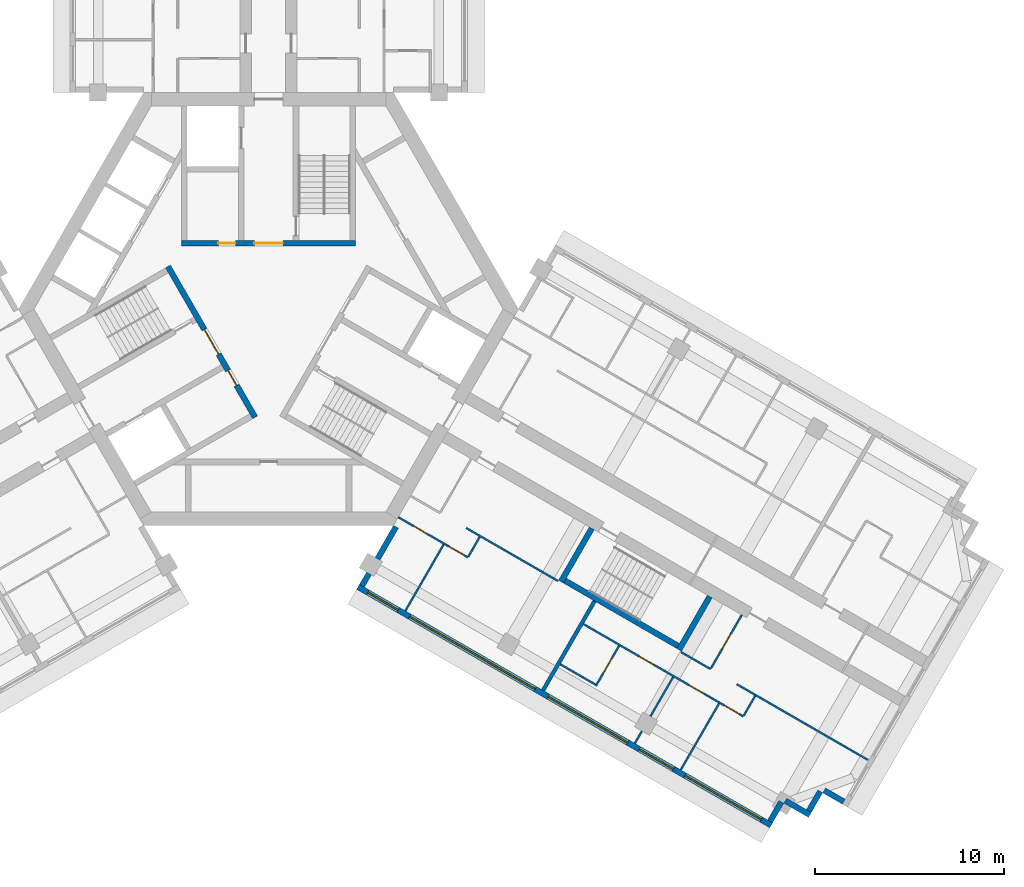
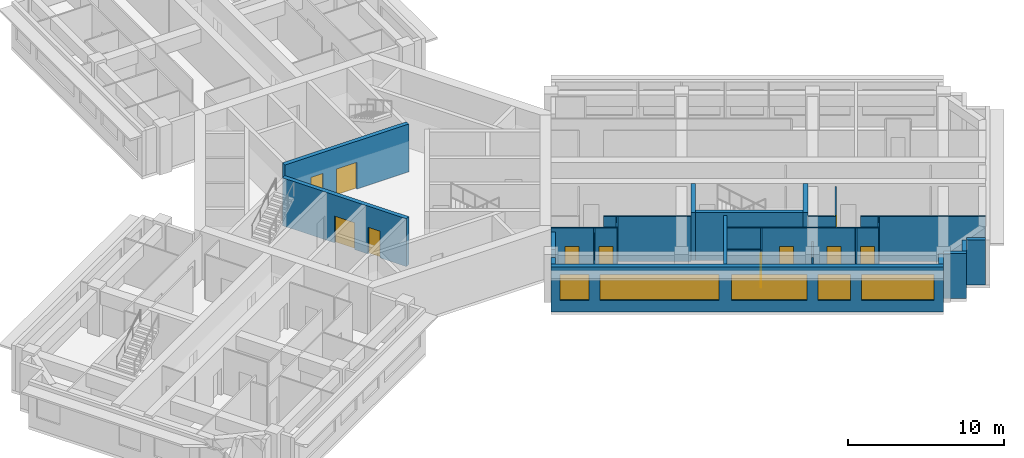
# One storey, part 4 of 10: 27 walls, 11 doors, 5 windows, 16 openings.
"""IFC4 building model written with IfcOpenShell, lengths in metres."""

import ifcopenshell
import ifcopenshell.guid

model = None  # the IFC model being written
_history = None  # IfcOwnerHistory: only IFC2X3 demands one
_inside = {}  # id of a spatial element -> (the spatial element, [elements in it])
_under = {}  # id of a project, library or spatial element -> (it, [spatial elements below it])
_declared = {}  # id of a project -> (the project, [libraries it declares])
_typed = {}  # id of a type object -> (the type object, [elements of that type])
_made_of = {}  # id of a material, layer set ... -> (it, [elements and type objects made of it])


def new_model(schema):
    """Start an empty IFC model of exactly this schema.

    Asked for "IFC4X3", IfcOpenShell would pick the latest addendum, in which some entities
    have other attributes; the version numbers below select the first issue.
    IFC2X3 requires an IfcOwnerHistory on every rooted entity: one is made here for all.
    """
    global model, _history
    if schema == "IFC4X3":
        model = ifcopenshell.file(schema_version=(4, 3, 0, 0))
    else:
        model = ifcopenshell.file(schema=schema)
    _inside.clear()
    _under.clear()
    _declared.clear()
    _typed.clear()
    _made_of.clear()
    _history = None
    if model.schema == "IFC2X3":
        org = make("IfcOrganization", Name="unknown")
        user = make(
            "IfcPersonAndOrganization",
            ThePerson=make("IfcPerson", FamilyName="unknown"),
            TheOrganization=org,
        )
        app = make(
            "IfcApplication",
            ApplicationDeveloper=org,
            Version="unknown",
            ApplicationFullName="unknown",
            ApplicationIdentifier="unknown",
        )
        _history = make(
            "IfcOwnerHistory",
            OwningUser=user,
            OwningApplication=app,
            ChangeAction="ADDED",
            CreationDate=0,
        )
    return model


def make(cls, **values):
    """One entity of the class cls with the attributes given. An attribute that is None is left unset."""
    return model.create_entity(
        cls, **{name: value for name, value in values.items() if value is not None}
    )


def rooted(cls, **values):
    """An entity with a GlobalId (a new one), such as an element, a storey or a relation."""
    return make(cls, GlobalId=ifcopenshell.guid.new(), OwnerHistory=_history, **values)


def si_unit(unit_type, name, prefix=None):
    """IfcSIUnit, for example si_unit("LENGTHUNIT", "METRE", prefix="MILLI")."""
    return make("IfcSIUnit", UnitType=unit_type, Prefix=prefix, Name=name)


def assignment(units):
    """IfcUnitAssignment: the units of a project."""
    return None if units is None else make("IfcUnitAssignment", Units=units)


def point(xyz):
    """IfcCartesianPoint."""
    return None if xyz is None else make("IfcCartesianPoint", Coordinates=xyz)


def direction(xyz):
    """IfcDirection."""
    return None if xyz is None else make("IfcDirection", DirectionRatios=xyz)


def frame(location, z_axis=None, x_axis=None):
    """IfcAxis2Placement3D, a coordinate frame: its origin and axes. An axis left out is left unset."""
    return make(
        "IfcAxis2Placement3D",
        Location=point(location),
        Axis=direction(z_axis),
        RefDirection=direction(x_axis),
    )


def frame_2d(location, x_axis=None):
    """IfcAxis2Placement2D, a coordinate frame in the plane: its origin and x axis."""
    return make(
        "IfcAxis2Placement2D", Location=point(location), RefDirection=direction(x_axis)
    )


def origin():
    """The frame at (0, 0, 0) with its axes left unset."""
    return frame((0.0, 0.0, 0.0))


def place(relative_to, where):
    """IfcLocalPlacement: puts the frame where relative to a parent placement (None: the world)."""
    return make(
        "IfcLocalPlacement", PlacementRelTo=relative_to, RelativePlacement=where
    )


def context(
    kind, dimensions, precision=None, world=None, true_north=None, identifier=None
):
    """IfcGeometricRepresentationContext, for example the 3D "Model" context."""
    return make(
        "IfcGeometricRepresentationContext",
        ContextIdentifier=identifier,
        ContextType=kind,
        CoordinateSpaceDimension=dimensions,
        Precision=precision,
        WorldCoordinateSystem=world,
        TrueNorth=true_north,
    )


def subcontext(parent, identifier, kind, view, scale=None):
    """IfcGeometricRepresentationSubContext, for example "Body" below "Model"."""
    return make(
        "IfcGeometricRepresentationSubContext",
        ContextIdentifier=identifier,
        ContextType=kind,
        ParentContext=parent,
        TargetScale=scale,
        TargetView=view,
    )


def project(units=None, contexts=None):
    """IfcProject with its units and contexts."""
    return rooted(
        "IfcProject",
        Name="project",
        RepresentationContexts=contexts,
        UnitsInContext=assignment(units),
    )


def spatial(cls, under=None, at=None, **own):
    """A site, building, storey or space (cls), placed at a placement, below another one or the project."""
    s = rooted(cls, ObjectPlacement=at, **own)
    if under is not None:
        _under.setdefault(under.id(), (under, []))[1].append(s)
    return s


def profile(cls, at=None, kind="AREA", **sizes):
    """A parametric profile (cls). Its sizes go by their IFC names, for example OverallWidth=200.0."""
    return make(cls, ProfileType=kind, Position=at, **sizes)


def rectangle(**sizes):
    """IfcRectangleProfileDef."""
    return profile("IfcRectangleProfileDef", **sizes)


def extrude(swept, where, along, depth):
    """IfcExtrudedAreaSolid: the profile swept, set in the frame where, extruded along a direction by depth."""
    return make(
        "IfcExtrudedAreaSolid",
        SweptArea=swept,
        Position=where,
        ExtrudedDirection=direction(along),
        Depth=depth,
    )


def shape(context_of_items, identifier, shape_type, items):
    """IfcShapeRepresentation: the items that make up one representation, for example the "Body"."""
    return make(
        "IfcShapeRepresentation",
        ContextOfItems=context_of_items,
        RepresentationIdentifier=identifier,
        RepresentationType=shape_type,
        Items=items,
    )


def material(Name=None, Category=None):
    """IfcMaterial."""
    return make("IfcMaterial", Name=Name, Category=Category)


def layer(
    of_material, thickness, ventilated=None, Name=None, Category=None, Priority=None
):
    """IfcMaterialLayer: one layer of a wall or slab, of a material (None: an air gap)."""
    return make(
        "IfcMaterialLayer",
        Material=of_material,
        LayerThickness=thickness,
        IsVentilated=ventilated,
        Name=Name,
        Category=Category,
        Priority=Priority,
    )


def layer_set(layers, Name=None):
    """IfcMaterialLayerSet."""
    return make("IfcMaterialLayerSet", MaterialLayers=layers, LayerSetName=Name)


def made_of(thing, what):
    """Note that an element or type object is made of a material, layer set ...; save() writes the relation."""
    if what is not None:
        _made_of.setdefault(what.id(), (what, []))[1].append(thing)
    return thing


def type_object(cls, material=None, **own):
    """A type object (cls), such as IfcWallType, which elements share."""
    return made_of(rooted(cls, **own), material)


def element(
    cls,
    number,
    at=None,
    inside=None,
    cuts=None,
    type_object=None,
    material=None,
    context=None,
    identifier="Body",
    shape_type=None,
    held_by="IfcProductDefinitionShape",
    body=None,
    shapes=None,
    **own,
):
    """One element of the class cls, such as IfcWall. Its Tag is "e" and its number.

    at: its placement. inside: the storey or other place that contains it. cuts: it is an
    opening in that element (IfcRelVoidsElement). A single representation is given by context,
    identifier, shape_type and body (its items); several are given by shapes. held_by: the class
    of the entity that holds the representations. save() writes the other relations.
    """
    e = rooted(cls, Tag="e%d" % number, ObjectPlacement=at, **own)
    if body is not None:
        shapes = [shape(context, identifier, shape_type, body)]
    if shapes is not None:
        e.Representation = make(held_by, Representations=shapes)
    if inside is not None:
        _inside.setdefault(inside.id(), (inside, []))[1].append(e)
    if cuts is not None:
        rooted(
            "IfcRelVoidsElement", RelatingBuildingElement=cuts, RelatedOpeningElement=e
        )
    if type_object is not None:
        _typed.setdefault(type_object.id(), (type_object, []))[1].append(e)
    return made_of(e, material)


def fill(opening, filler):
    """IfcRelFillsElement: the door or window that sits in an opening."""
    return rooted(
        "IfcRelFillsElement",
        RelatingOpeningElement=opening,
        RelatedBuildingElement=filler,
    )


def aggregate(whole, parts):
    """IfcRelAggregates: a whole, such as a stair, and the parts it consists of."""
    return rooted("IfcRelAggregates", RelatingObject=whole, RelatedObjects=parts)


def save(model, path):
    """Write the relations noted so far, then the file.

    IfcRelAggregates (storeys below a building ...), IfcRelContainedInSpatialStructure (elements
    in a storey), IfcRelDefinesByType, IfcRelAssociatesMaterial and IfcRelDeclares: one each for
    every whole, place, type object, material and project.
    """
    for whole, parts in _under.values():
        aggregate(whole, parts)
    for where, things in _inside.values():
        rooted(
            "IfcRelContainedInSpatialStructure",
            RelatedElements=things,
            RelatingStructure=where,
        )
    for kind, things in _typed.values():
        rooted("IfcRelDefinesByType", RelatedObjects=things, RelatingType=kind)
    for what, things in _made_of.values():
        rooted("IfcRelAssociatesMaterial", RelatedObjects=things, RelatingMaterial=what)
    for by, libraries in _declared.values():
        rooted("IfcRelDeclares", RelatingContext=by, RelatedDefinitions=libraries)
    model.write(path)


model = new_model("IFC4")

# Units and contexts
model_context = context("Model", 3, precision=1e-05, world=origin(), true_north=direction((0.0, 1.0)))
body_context = subcontext(model_context, "Body", "Model", "MODEL_VIEW")
ifc_project = project(units=[si_unit("LENGTHUNIT", "METRE"), si_unit("AREAUNIT", "SQUARE_METRE"), si_unit("VOLUMEUNIT", "CUBIC_METRE"), si_unit("PLANEANGLEUNIT", "RADIAN"), si_unit("MASSUNIT", "GRAM", prefix="KILO")], contexts=[model_context])

# Site, building, storey
site_placement = place(None, origin())
site = spatial("IfcSite", under=ifc_project, at=site_placement, CompositionType="ELEMENT")
building_placement = place(site_placement, origin())
building = spatial("IfcBuilding", under=site, at=building_placement, Name="Impinga Residences", CompositionType="ELEMENT")
storey_placement = place(building_placement, frame((0.0, 0.0, 233.5)))
storey = spatial("IfcBuildingStorey", under=building, at=storey_placement, Name="L58", CompositionType="ELEMENT", Elevation=233.5)

# Walls
ifc_material_1 = material(Name="Terracotta rainscreen on blockwork", Category="masonry")
ifc_layer_1 = layer(ifc_material_1, 0.300048828125)
ifc_layer_set_1 = layer_set([ifc_layer_1], Name="EW1 external wall, terracotta rainscreen on blockwork 300")
wall_type_1 = type_object("IfcWallType", Name="EW1 external wall, terracotta rainscreen on blockwork 300", PredefinedType="SOLIDWALL", material=ifc_layer_set_1)
wall_1_placement = place(storey_placement, frame((30.38720703125, -26.031005859375, 0.0), z_axis=(0.0, 0.0, 1.0), x_axis=(-0.866059708757, 0.499940577336, 0.0)))
element("IfcWall", 1, at=wall_1_placement, inside=storey, type_object=wall_type_1, Name="External wall EW1 L58", PredefinedType="SOLIDWALL", context=body_context, shape_type="SweptSolid", body=[
    extrude(rectangle(XDim=1.195068359375, YDim=0.300048828125, at=frame_2d((0.59765625, 0.0))), origin(), (0.0, 0.0, 1.0), 3.530029296875),
])
wall_2_placement = place(storey_placement, frame((29.14306640625, -25.48583984375, 0.0), z_axis=(0.0, 0.0, 1.0), x_axis=(-0.500033551112, -0.866006032174, 0.0)))
element("IfcWall", 2, at=wall_2_placement, inside=storey, type_object=wall_type_1, Name="External wall EW1 L58", PredefinedType="SOLIDWALL", context=body_context, shape_type="SweptSolid", body=[
    extrude(rectangle(XDim=1.2001953125, YDim=0.300048828125, at=frame_2d((0.60009765625, 0.0))), origin(), (0.0, 0.0, 1.0), 3.530029296875),
])
wall_3_placement = place(storey_placement, frame((28.597900390625, -26.72998046875, 0.0), z_axis=(0.0, 0.0, 1.0), x_axis=(-0.866031096941, 0.499990139034, 0.0)))
element("IfcWall", 3, at=wall_3_placement, inside=storey, type_object=wall_type_1, Name="External wall EW1 L58", PredefinedType="SOLIDWALL", context=body_context, shape_type="SweptSolid", body=[
    extrude(rectangle(XDim=1.5, YDim=0.300048828125, at=frame_2d((0.75, 0.0))), origin(), (0.0, 0.0, 1.0), 3.530029296875),
])
wall_4_placement = place(storey_placement, frame((27.091552734375, -26.039306640625, 0.0), z_axis=(0.0, 0.0, 1.0), x_axis=(-0.500093796661, -0.865971243484, 0.0)))
element("IfcWall", 4, at=wall_4_placement, inside=storey, type_object=wall_type_1, Name="External wall EW1 L58", PredefinedType="SOLIDWALL", context=body_context, shape_type="SweptSolid", body=[
    extrude(rectangle(XDim=1.195068359375, YDim=0.300048828125, at=frame_2d((0.59765625, 0.0))), origin(), (0.0, 0.0, 1.0), 3.530029296875),
])

# Wall, openings, windows
wall_5_placement = place(storey_placement, frame((26.548828125, -27.279052734375, 0.0), z_axis=(0.0, 0.0, 1.0), x_axis=(-0.866026832479, 0.499997525421, 0.0)))
wall_5 = element("IfcWall", 5, at=wall_5_placement, inside=storey, type_object=wall_type_1, Name="External wall EW1 L58", PredefinedType="SOLIDWALL", context=body_context, shape_type="SweptSolid", body=[
    extrude(rectangle(XDim=25.199951171875, YDim=0.300048828125, at=frame_2d((12.60009765625, 0.0))), origin(), (0.0, 0.0, 1.0), 3.530029296875),
])
opening_1_placement = place(wall_5_placement, frame((0.60009765625, 0.0, 0.89990234375)))
opening_1 = element("IfcOpeningElement", 6, at=opening_1_placement, cuts=wall_5, Name="Opening W10", PredefinedType="OPENING", context=body_context, shape_type="SweptSolid", body=[
    extrude(rectangle(XDim=4.64990234375, YDim=2.050048828125, at=frame_2d((2.324951171875, 1.02490234375))), frame((0.0, 0.159912109375, 0.0), z_axis=(0.0, -1.0, 0.0), x_axis=(1.0, 0.0, 0.0)), (0.0, 0.0, 1.0), 0.320068359375),
])
opening_2_placement = place(wall_5_placement, frame((5.949951171875, 0.0, 0.89990234375)))
opening_2 = element("IfcOpeningElement", 7, at=opening_2_placement, cuts=wall_5, Name="Opening W9", PredefinedType="OPENING", context=body_context, shape_type="SweptSolid", body=[
    extrude(rectangle(XDim=2.10009765625, YDim=2.050048828125, at=frame_2d((1.050048828125, 1.02490234375))), frame((0.0, 0.159912109375, 0.0), z_axis=(0.0, -1.0, 0.0), x_axis=(1.0, 0.0, 0.0)), (0.0, 0.0, 1.0), 0.320068359375),
])
opening_3_placement = place(wall_5_placement, frame((8.75, 0.0, 0.89990234375)))
opening_3 = element("IfcOpeningElement", 8, at=opening_3_placement, cuts=wall_5, Name="Opening W6", PredefinedType="OPENING", context=body_context, shape_type="SweptSolid", body=[
    extrude(rectangle(XDim=4.85009765625, YDim=2.050048828125, at=frame_2d((2.425048828125, 1.02490234375))), frame((0.0, 0.159912109375, 0.0), z_axis=(0.0, -1.0, 0.0), x_axis=(1.0, 0.0, 0.0)), (0.0, 0.0, 1.0), 0.320068359375),
])
opening_4_placement = place(wall_5_placement, frame((14.39990234375, 0.0, 0.89990234375)))
opening_4 = element("IfcOpeningElement", 9, at=opening_4_placement, cuts=wall_5, Name="Opening W13", PredefinedType="OPENING", context=body_context, shape_type="SweptSolid", body=[
    extrude(rectangle(XDim=7.64990234375, YDim=2.050048828125, at=frame_2d((3.824951171875, 1.02490234375))), frame((0.0, 0.159912109375, 0.0), z_axis=(0.0, -1.0, 0.0), x_axis=(1.0, 0.0, 0.0)), (0.0, 0.0, 1.0), 0.320068359375),
])
opening_5_placement = place(wall_5_placement, frame((22.75, 0.0, 0.89990234375)))
opening_5 = element("IfcOpeningElement", 10, at=opening_5_placement, cuts=wall_5, Name="Opening W15", PredefinedType="OPENING", context=body_context, shape_type="SweptSolid", body=[
    extrude(rectangle(XDim=1.85009765625, YDim=2.050048828125, at=frame_2d((0.925048828125, 1.02490234375))), frame((0.0, 0.159912109375, 0.0), z_axis=(0.0, -1.0, 0.0), x_axis=(1.0, 0.0, 0.0)), (0.0, 0.0, 1.0), 0.320068359375),
])
ifc_material_2 = material(Name="Aluminium window, clear double glazing", Category="aluminium")
window_type_1 = type_object("IfcWindowType", Name="W10 ribbon window 4650x2050", PartitioningType="SINGLE_PANEL", PredefinedType="WINDOW", material=ifc_material_2)
window_1_placement = place(opening_1_placement, origin())
window_1 = element("IfcWindow", 11, at=window_1_placement, inside=storey, type_object=window_type_1, Name="Window L58", OverallHeight=2.050048828125, OverallWidth=4.64990234375, PartitioningType="SINGLE_PANEL", PredefinedType="WINDOW", context=body_context, shape_type="SweptSolid", body=[
    extrude(rectangle(XDim=4.64990234375, YDim=2.050048828125, at=frame_2d((2.324951171875, 1.02490234375))), frame((0.0, 0.030029296875, 0.0), z_axis=(0.0, -1.0, 0.0), x_axis=(1.0, 0.0, 0.0)), (0.0, 0.0, 1.0), 0.06005859375),
])
fill(opening_1, window_1)
window_type_2 = type_object("IfcWindowType", Name="W13 ribbon window 7650x2050", PartitioningType="SINGLE_PANEL", PredefinedType="WINDOW", material=ifc_material_2)
window_2_placement = place(opening_4_placement, origin())
window_2 = element("IfcWindow", 12, at=window_2_placement, inside=storey, type_object=window_type_2, Name="Window L58", OverallHeight=2.050048828125, OverallWidth=7.64990234375, PartitioningType="SINGLE_PANEL", PredefinedType="WINDOW", context=body_context, shape_type="SweptSolid", body=[
    extrude(rectangle(XDim=7.64990234375, YDim=2.050048828125, at=frame_2d((3.824951171875, 1.02490234375))), frame((0.0, 0.030029296875, 0.0), z_axis=(0.0, -1.0, 0.0), x_axis=(1.0, 0.0, 0.0)), (0.0, 0.0, 1.0), 0.06005859375),
])
fill(opening_4, window_2)
window_type_3 = type_object("IfcWindowType", Name="W15 ribbon window 1850x2050", PartitioningType="SINGLE_PANEL", PredefinedType="WINDOW", material=ifc_material_2)
window_3_placement = place(opening_5_placement, origin())
window_3 = element("IfcWindow", 13, at=window_3_placement, inside=storey, type_object=window_type_3, Name="Window L58", OverallHeight=2.050048828125, OverallWidth=1.85009765625, PartitioningType="SINGLE_PANEL", PredefinedType="WINDOW", context=body_context, shape_type="SweptSolid", body=[
    extrude(rectangle(XDim=1.85009765625, YDim=2.050048828125, at=frame_2d((0.925048828125, 1.02490234375))), frame((0.0, 0.030029296875, 0.0), z_axis=(0.0, -1.0, 0.0), x_axis=(1.0, 0.0, 0.0)), (0.0, 0.0, 1.0), 0.06005859375),
])
fill(opening_5, window_3)
window_type_4 = type_object("IfcWindowType", Name="W6 ribbon window 4850x2050", PartitioningType="SINGLE_PANEL", PredefinedType="WINDOW", material=ifc_material_2)
window_4_placement = place(opening_3_placement, origin())
window_4 = element("IfcWindow", 14, at=window_4_placement, inside=storey, type_object=window_type_4, Name="Window L58", OverallHeight=2.050048828125, OverallWidth=4.85009765625, PartitioningType="SINGLE_PANEL", PredefinedType="WINDOW", context=body_context, shape_type="SweptSolid", body=[
    extrude(rectangle(XDim=4.85009765625, YDim=2.050048828125, at=frame_2d((2.425048828125, 1.02490234375))), frame((0.0, 0.030029296875, 0.0), z_axis=(0.0, -1.0, 0.0), x_axis=(1.0, 0.0, 0.0)), (0.0, 0.0, 1.0), 0.06005859375),
])
fill(opening_3, window_4)
window_type_5 = type_object("IfcWindowType", Name="W9 ribbon window 2100x2050", PartitioningType="SINGLE_PANEL", PredefinedType="WINDOW", material=ifc_material_2)
window_5_placement = place(opening_2_placement, origin())
window_5 = element("IfcWindow", 15, at=window_5_placement, inside=storey, type_object=window_type_5, Name="Window L58", OverallHeight=2.050048828125, OverallWidth=2.10009765625, PartitioningType="SINGLE_PANEL", PredefinedType="WINDOW", context=body_context, shape_type="SweptSolid", body=[
    extrude(rectangle(XDim=2.10009765625, YDim=2.050048828125, at=frame_2d((1.050048828125, 1.02490234375))), frame((0.0, 0.030029296875, 0.0), z_axis=(0.0, -1.0, 0.0), x_axis=(1.0, 0.0, 0.0)), (0.0, 0.0, 1.0), 0.06005859375),
])
fill(opening_2, window_5)

# Walls
wall_6_placement = place(storey_placement, frame((4.929931640625, -14.624267578125, 0.0), z_axis=(0.0, 0.0, 1.0), x_axis=(0.499919672301, 0.866071776036, 0.0)))
element("IfcWall", 16, at=wall_6_placement, inside=storey, type_object=wall_type_1, Name="External wall EW1 L58", PredefinedType="SOLIDWALL", context=body_context, shape_type="SweptSolid", body=[
    extrude(rectangle(XDim=0.75, YDim=0.300048828125, at=frame_2d((0.375, 0.0))), origin(), (0.0, 0.0, 1.0), 3.530029296875),
])
wall_7_placement = place(storey_placement, frame((5.7548828125, -13.1953125, 0.0), z_axis=(0.0, 0.0, 1.0), x_axis=(0.500043961785, 0.866000020948, 0.0)))
element("IfcWall", 17, at=wall_7_placement, inside=storey, type_object=wall_type_1, Name="External wall EW1 L58", PredefinedType="SOLIDWALL", context=body_context, shape_type="SweptSolid", body=[
    extrude(rectangle(XDim=1.949951171875, YDim=0.300048828125, at=frame_2d((0.97509765625, 0.0))), origin(), (0.0, 0.0, 1.0), 3.530029296875),
])
ifc_material_3 = material(Name="Gypsum board on steel studs", Category="steel")
ifc_layer_2 = layer(ifc_material_3, 0.10009765625)
ifc_layer_set_2 = layer_set([ifc_layer_2], Name="Gypsum board on steel studs")
wall_type_2 = type_object("IfcWallType", Name="IP1 partition 100", PredefinedType="PARTITIONING", material=ifc_layer_set_2)
wall_8_placement = place(storey_placement, frame((10.444580078125, -11.57275390625, 0.0), z_axis=(0.0, 0.0, 1.0), x_axis=(0.866015695474, -0.500016814911, 0.0)))
element("IfcWall", 18, at=wall_8_placement, inside=storey, type_object=wall_type_2, Name="Partition L58-EF1:DIV1", PredefinedType="PARTITIONING", context=body_context, shape_type="SweptSolid", body=[
    extrude(rectangle(XDim=5.599853515625, YDim=0.10009765625, at=frame_2d((2.7998046875, 0.0))), origin(), (0.0, 0.0, 1.0), 3.530029296875),
])

# Wall, openings, doors
wall_9_placement = place(storey_placement, frame((6.85009765625, -10.99853515625, 0.0), z_axis=(0.0, 0.0, 1.0), x_axis=(0.866014341725, -0.50001915956, 0.0)))
wall_9 = element("IfcWall", 19, at=wall_9_placement, inside=storey, type_object=wall_type_2, Name="Partition L58-EF1:STRIP", PredefinedType="PARTITIONING", context=body_context, shape_type="SweptSolid", body=[
    extrude(rectangle(XDim=4.249755859375, YDim=0.10009765625, at=frame_2d((2.125, 0.0))), origin(), (0.0, 0.0, 1.0), 3.530029296875),
])
opening_6_placement = place(wall_9_placement, frame((0.925048828125, 0.0, 0.0)))
opening_6 = element("IfcOpeningElement", 20, at=opening_6_placement, cuts=wall_9, Name="Opening D2", PredefinedType="OPENING", context=body_context, shape_type="SweptSolid", body=[
    extrude(rectangle(XDim=0.89990234375, YDim=2.10009765625, at=frame_2d((0.449951171875, 1.050048828125))), frame((0.0, 0.06005859375, 0.0), z_axis=(0.0, -1.0, 0.0), x_axis=(1.0, 0.0, 0.0)), (0.0, 0.0, 1.0), 0.1201171875),
])
opening_7_placement = place(wall_9_placement, frame((3.10009765625, 0.0, 0.0)))
opening_7 = element("IfcOpeningElement", 21, at=opening_7_placement, cuts=wall_9, Name="Opening D2", PredefinedType="OPENING", context=body_context, shape_type="SweptSolid", body=[
    extrude(rectangle(XDim=0.89990234375, YDim=2.10009765625, at=frame_2d((0.449951171875, 1.050048828125))), frame((0.0, 0.06005859375, 0.0), z_axis=(0.0, -1.0, 0.0), x_axis=(1.0, 0.0, 0.0)), (0.0, 0.0, 1.0), 0.1201171875),
])
ifc_material_4 = material(Name="Timber door set", Category="wood")
door_type_1 = type_object("IfcDoorType", Name="D2 internal door 900x2100", OperationType="SINGLE_SWING_LEFT", PredefinedType="DOOR", material=ifc_material_4)
door_1_placement = place(opening_6_placement, origin())
door_1 = element("IfcDoor", 22, at=door_1_placement, inside=storey, type_object=door_type_1, Name="Apartment L58-EF1 room door", OperationType="SINGLE_SWING_LEFT", OverallHeight=2.10009765625, OverallWidth=0.89990234375, PredefinedType="DOOR", context=body_context, shape_type="SweptSolid", body=[
    extrude(rectangle(XDim=0.89990234375, YDim=2.10009765625, at=frame_2d((0.449951171875, 1.050048828125))), frame((0.0, 0.02490234375, 0.0), z_axis=(0.0, -1.0, 0.0), x_axis=(1.0, 0.0, 0.0)), (0.0, 0.0, 1.0), 0.050048828125),
])
fill(opening_6, door_1)
door_2_placement = place(opening_7_placement, origin())
door_2 = element("IfcDoor", 23, at=door_2_placement, inside=storey, type_object=door_type_1, Name="Apartment L58-EF1 room door", OperationType="SINGLE_SWING_RIGHT", OverallHeight=2.10009765625, OverallWidth=0.89990234375, PredefinedType="DOOR", context=body_context, shape_type="SweptSolid", body=[
    extrude(rectangle(XDim=0.89990234375, YDim=2.10009765625, at=frame_2d((0.449951171875, 1.050048828125))), frame((0.0, 0.02490234375, 0.0), z_axis=(0.0, -1.0, 0.0), x_axis=(1.0, 0.0, 0.0)), (0.0, 0.0, 1.0), 0.050048828125),
])
fill(opening_7, door_2)

# Walls
wall_10_placement = place(storey_placement, frame((11.155517578125, -12.041015625, 0.0), z_axis=(0.0, 0.0, 1.0), x_axis=(-0.499880961361, -0.866094119867, 0.0)))
element("IfcWall", 24, at=wall_10_placement, inside=storey, type_object=wall_type_2, Name="Partition L58-EF1:SE1", PredefinedType="PARTITIONING", context=body_context, shape_type="SweptSolid", body=[
    extrude(rectangle(XDim=1.199951171875, YDim=0.10009765625, at=frame_2d((0.60009765625, 0.0))), origin(), (0.0, 0.0, 1.0), 3.530029296875),
])
wall_11_placement = place(storey_placement, frame((9.249755859375, -12.44189453125, 0.0), z_axis=(0.0, 0.0, 1.0), x_axis=(-0.499990325971, -0.866030989016, 0.0)))
element("IfcWall", 25, at=wall_11_placement, inside=storey, type_object=wall_type_2, Name="Partition L58-EF1:OB1", PredefinedType="PARTITIONING", context=body_context, shape_type="SweptSolid", body=[
    extrude(rectangle(XDim=4.0498046875, YDim=0.10009765625, at=frame_2d((2.02490234375, 0.0))), origin(), (0.0, 0.0, 1.0), 3.530029296875),
])
wall_12_placement = place(storey_placement, frame((21.789306640625, -18.122802734375, 0.0), z_axis=(0.0, 0.0, 1.0), x_axis=(0.866047807691, -0.499961193289, 0.0)))
element("IfcWall", 26, at=wall_12_placement, inside=storey, type_object=wall_type_2, Name="Partition L58-EF2:DIV0", PredefinedType="PARTITIONING", context=body_context, shape_type="SweptSolid", body=[
    extrude(rectangle(XDim=1.800048828125, YDim=0.10009765625, at=frame_2d((0.89990234375, 0.0))), origin(), (0.0, 0.0, 1.0), 3.530029296875),
])
wall_13_placement = place(storey_placement, frame((24.73388671875, -19.82275390625, 0.0), z_axis=(0.0, 0.0, 1.0), x_axis=(0.866026010844, -0.49999894854, 0.0)))
element("IfcWall", 27, at=wall_13_placement, inside=storey, type_object=wall_type_2, Name="Partition L58-EF2:DIV1", PredefinedType="PARTITIONING", context=body_context, shape_type="SweptSolid", body=[
    extrude(rectangle(XDim=8.0, YDim=0.10009765625, at=frame_2d((4.0, 0.0))), origin(), (0.0, 0.0, 1.0), 3.530029296875),
])

# Wall, openings, doors
wall_14_placement = place(storey_placement, frame((16.635986328125, -16.6484375, 0.0), z_axis=(0.0, 0.0, 1.0), x_axis=(0.866027967067, -0.499995560238, 0.0)))
wall_14 = element("IfcWall", 28, at=wall_14_placement, inside=storey, type_object=wall_type_2, Name="Partition L58-EF2:STRIP", PredefinedType="PARTITIONING", context=body_context, shape_type="SweptSolid", body=[
    extrude(rectangle(XDim=9.75, YDim=0.10009765625, at=frame_2d((4.875, 0.0))), origin(), (0.0, 0.0, 1.0), 3.530029296875),
])
opening_8_placement = place(wall_14_placement, frame((3.39990234375, 0.0, 0.0)))
opening_8 = element("IfcOpeningElement", 29, at=opening_8_placement, cuts=wall_14, Name="Opening D2", PredefinedType="OPENING", context=body_context, shape_type="SweptSolid", body=[
    extrude(rectangle(XDim=0.89990234375, YDim=2.10009765625, at=frame_2d((0.449951171875, 1.050048828125))), frame((0.0, 0.06005859375, 0.0), z_axis=(0.0, -1.0, 0.0), x_axis=(1.0, 0.0, 0.0)), (0.0, 0.0, 1.0), 0.1201171875),
])
opening_9_placement = place(wall_14_placement, frame((6.449951171875, 0.0, 0.0)))
opening_9 = element("IfcOpeningElement", 30, at=opening_9_placement, cuts=wall_14, Name="Opening D2", PredefinedType="OPENING", context=body_context, shape_type="SweptSolid", body=[
    extrude(rectangle(XDim=0.89990234375, YDim=2.10009765625, at=frame_2d((0.449951171875, 1.050048828125))), frame((0.0, 0.06005859375, 0.0), z_axis=(0.0, -1.0, 0.0), x_axis=(1.0, 0.0, 0.0)), (0.0, 0.0, 1.0), 0.1201171875),
])
opening_10_placement = place(wall_14_placement, frame((8.60009765625, 0.0, 0.0)))
opening_10 = element("IfcOpeningElement", 31, at=opening_10_placement, cuts=wall_14, Name="Opening D2", PredefinedType="OPENING", context=body_context, shape_type="SweptSolid", body=[
    extrude(rectangle(XDim=0.89990234375, YDim=2.10009765625, at=frame_2d((0.449951171875, 1.050048828125))), frame((0.0, 0.06005859375, 0.0), z_axis=(0.0, -1.0, 0.0), x_axis=(1.0, 0.0, 0.0)), (0.0, 0.0, 1.0), 0.1201171875),
])
door_3_placement = place(opening_8_placement, origin())
door_3 = element("IfcDoor", 32, at=door_3_placement, inside=storey, type_object=door_type_1, Name="Apartment L58-EF2 room door", OperationType="SINGLE_SWING_LEFT", OverallHeight=2.10009765625, OverallWidth=0.89990234375, PredefinedType="DOOR", context=body_context, shape_type="SweptSolid", body=[
    extrude(rectangle(XDim=0.89990234375, YDim=2.10009765625, at=frame_2d((0.449951171875, 1.050048828125))), frame((0.0, 0.02490234375, 0.0), z_axis=(0.0, -1.0, 0.0), x_axis=(1.0, 0.0, 0.0)), (0.0, 0.0, 1.0), 0.050048828125),
])
fill(opening_8, door_3)
door_4_placement = place(opening_9_placement, origin())
door_4 = element("IfcDoor", 33, at=door_4_placement, inside=storey, type_object=door_type_1, Name="Apartment L58-EF2 room door", OperationType="SINGLE_SWING_RIGHT", OverallHeight=2.10009765625, OverallWidth=0.89990234375, PredefinedType="DOOR", context=body_context, shape_type="SweptSolid", body=[
    extrude(rectangle(XDim=0.89990234375, YDim=2.10009765625, at=frame_2d((0.449951171875, 1.050048828125))), frame((0.0, 0.02490234375, 0.0), z_axis=(0.0, -1.0, 0.0), x_axis=(1.0, 0.0, 0.0)), (0.0, 0.0, 1.0), 0.050048828125),
])
fill(opening_9, door_4)
door_5_placement = place(opening_10_placement, origin())
door_5 = element("IfcDoor", 34, at=door_5_placement, inside=storey, type_object=door_type_1, Name="Apartment L58-EF2 room door", OperationType="SINGLE_SWING_RIGHT", OverallHeight=2.10009765625, OverallWidth=0.89990234375, PredefinedType="DOOR", context=body_context, shape_type="SweptSolid", body=[
    extrude(rectangle(XDim=0.89990234375, YDim=2.10009765625, at=frame_2d((0.449951171875, 1.050048828125))), frame((0.0, 0.02490234375, 0.0), z_axis=(0.0, -1.0, 0.0), x_axis=(1.0, 0.0, 0.0)), (0.0, 0.0, 1.0), 0.050048828125),
])
fill(opening_10, door_5)

# Wall
wall_15_placement = place(storey_placement, frame((25.704833984375, -20.44091796875, 0.0), z_axis=(0.0, 0.0, 1.0), x_axis=(-0.500033551112, -0.866006032174, 0.0)))
element("IfcWall", 35, at=wall_15_placement, inside=storey, type_object=wall_type_2, Name="Partition L58-EF2:SE1", PredefinedType="PARTITIONING", context=body_context, shape_type="SweptSolid", body=[
    extrude(rectangle(XDim=1.2001953125, YDim=0.10009765625, at=frame_2d((0.60009765625, 0.0))), origin(), (0.0, 0.0, 1.0), 3.530029296875),
])

# Wall, opening, door
wall_16_placement = place(storey_placement, frame((24.998291015625, -16.164794921875, 0.0), z_axis=(0.0, 0.0, 1.0), x_axis=(-0.499984717929, -0.866034226713, 0.0)))
wall_16 = element("IfcWall", 36, at=wall_16_placement, inside=storey, type_object=wall_type_2, Name="Partition L58-EF2:IB1", PredefinedType="PARTITIONING", context=body_context, shape_type="SweptSolid", body=[
    extrude(rectangle(XDim=3.25, YDim=0.10009765625, at=frame_2d((1.625, 0.0))), origin(), (0.0, 0.0, 1.0), 3.530029296875),
])
opening_11_placement = place(wall_16_placement, frame((1.175048828125, 0.0, 0.0)))
opening_11 = element("IfcOpeningElement", 37, at=opening_11_placement, cuts=wall_16, Name="Opening D2", PredefinedType="OPENING", context=body_context, shape_type="SweptSolid", body=[
    extrude(rectangle(XDim=0.89990234375, YDim=2.10009765625, at=frame_2d((0.449951171875, 1.050048828125))), frame((0.0, 0.06005859375, 0.0), z_axis=(0.0, -1.0, 0.0), x_axis=(1.0, 0.0, 0.0)), (0.0, 0.0, 1.0), 0.1201171875),
])
door_6_placement = place(opening_11_placement, origin())
door_6 = element("IfcDoor", 38, at=door_6_placement, inside=storey, type_object=door_type_1, Name="Apartment L58-EF2 bathroom door", OperationType="SINGLE_SWING_LEFT", OverallHeight=2.10009765625, OverallWidth=0.89990234375, PredefinedType="DOOR", context=body_context, shape_type="SweptSolid", body=[
    extrude(rectangle(XDim=0.89990234375, YDim=2.10009765625, at=frame_2d((0.449951171875, 1.050048828125))), frame((0.0, 0.02490234375, 0.0), z_axis=(0.0, -1.0, 0.0), x_axis=(1.0, 0.0, 0.0)), (0.0, 0.0, 1.0), 0.050048828125),
])
fill(opening_11, door_6)

# Walls
wall_17_placement = place(storey_placement, frame((21.374267578125, -19.44189453125, 0.0), z_axis=(0.0, 0.0, 1.0), x_axis=(-0.500001309137, -0.866024647952, 0.0)))
element("IfcWall", 39, at=wall_17_placement, inside=storey, type_object=wall_type_2, Name="Partition L58-EF2:OB1", PredefinedType="PARTITIONING", context=body_context, shape_type="SweptSolid", body=[
    extrude(rectangle(XDim=2.39990234375, YDim=0.10009765625, at=frame_2d((1.199951171875, 0.0))), origin(), (0.0, 0.0, 1.0), 2.47998046875),
])
wall_18_placement = place(storey_placement, frame((19.72412109375, -22.2998046875, 0.0), z_axis=(0.0, 0.0, 1.0), x_axis=(-0.500060622324, -0.86599040064, 0.0)))
element("IfcWall", 40, at=wall_18_placement, inside=storey, type_object=wall_type_2, Name="Partition L58-EF2:OB1b", PredefinedType="PARTITIONING", context=body_context, shape_type="SweptSolid", body=[
    extrude(rectangle(XDim=0.75, YDim=0.10009765625, at=frame_2d((0.375, 0.0))), origin(), (0.0, 0.0, 1.0), 3.530029296875),
])
wall_19_placement = place(storey_placement, frame((23.799072265625, -20.841796875, 0.0), z_axis=(0.0, 0.0, 1.0), x_axis=(-0.499990325971, -0.866030989016, 0.0)))
element("IfcWall", 41, at=wall_19_placement, inside=storey, type_object=wall_type_2, Name="Partition L58-EF2:OB2", PredefinedType="PARTITIONING", context=body_context, shape_type="SweptSolid", body=[
    extrude(rectangle(XDim=4.0498046875, YDim=0.10009765625, at=frame_2d((2.02490234375, 0.0))), origin(), (0.0, 0.0, 1.0), 3.530029296875),
])

# Wall, opening, door
wall_20_placement = place(storey_placement, frame((18.516357421875, -17.791748046875, 0.0), z_axis=(0.0, 0.0, 1.0), x_axis=(-0.500018594424, -0.866014668023, 0.0)))
wall_20 = element("IfcWall", 42, at=wall_20_placement, inside=storey, type_object=wall_type_2, Name="Partition L58-EF2:EN1", PredefinedType="PARTITIONING", context=body_context, shape_type="SweptSolid", body=[
    extrude(rectangle(XDim=2.4501953125, YDim=0.10009765625, at=frame_2d((1.22509765625, 0.0))), origin(), (0.0, 0.0, 1.0), 3.530029296875),
])
opening_12_placement = place(wall_20_placement, frame((0.75, 0.0, 0.0)))
opening_12 = element("IfcOpeningElement", 43, at=opening_12_placement, cuts=wall_20, Name="Opening D2", PredefinedType="OPENING", context=body_context, shape_type="SweptSolid", body=[
    extrude(rectangle(XDim=0.89990234375, YDim=2.10009765625, at=frame_2d((0.449951171875, 1.050048828125))), frame((0.0, 0.06005859375, 0.0), z_axis=(0.0, -1.0, 0.0), x_axis=(1.0, 0.0, 0.0)), (0.0, 0.0, 1.0), 0.1201171875),
])
door_7_placement = place(opening_12_placement, origin())
door_7 = element("IfcDoor", 44, at=door_7_placement, inside=storey, type_object=door_type_1, Name="Apartment L58-EF2 en-suite door", OperationType="SINGLE_SWING_LEFT", OverallHeight=2.10009765625, OverallWidth=0.89990234375, PredefinedType="DOOR", context=body_context, shape_type="SweptSolid", body=[
    extrude(rectangle(XDim=0.89990234375, YDim=2.10009765625, at=frame_2d((0.449951171875, 1.050048828125))), frame((0.0, 0.02490234375, 0.0), z_axis=(0.0, -1.0, 0.0), x_axis=(1.0, 0.0, 0.0)), (0.0, 0.0, 1.0), 0.050048828125),
])
fill(opening_12, door_7)

# Walls
wall_21_placement = place(storey_placement, frame((15.4111328125, -18.770263671875, 0.0), z_axis=(0.0, 0.0, 1.0), x_axis=(0.866019166195, -0.500010803666, 0.0)))
element("IfcWall", 45, at=wall_21_placement, inside=storey, type_object=wall_type_2, Name="Partition L58-EF2:EN2", PredefinedType="PARTITIONING", context=body_context, shape_type="SweptSolid", body=[
    extrude(rectangle(XDim=2.14990234375, YDim=0.10009765625, at=frame_2d((1.074951171875, 0.0))), origin(), (0.0, 0.0, 1.0), 3.530029296875),
])
ifc_material_5 = material(Name="Concrete blockwork", Category="masonry")
ifc_layer_3 = layer(ifc_material_5, 0.199951171875)
ifc_layer_set_3 = layer_set([ifc_layer_3], Name="PW1 party wall between apartments 200")
wall_type_3 = type_object("IfcWallType", Name="PW1 party wall between apartments 200", PredefinedType="SOLIDWALL", material=ifc_layer_set_3)
wall_22_placement = place(storey_placement, frame((17.224365234375, -15.429443359375, 0.0), z_axis=(0.0, 0.0, 1.0), x_axis=(-0.499988730927, -0.866031909889, 0.0)))
element("IfcWall", 46, at=wall_22_placement, inside=storey, type_object=wall_type_3, Name="Party wall between apartments L58-EF1:PARTY", PredefinedType="SOLIDWALL", context=body_context, shape_type="SweptSolid", body=[
    extrude(rectangle(XDim=5.449951171875, YDim=0.199951171875, at=frame_2d((2.72509765625, 0.0))), origin(), (0.0, 0.0, 1.0), 3.530029296875),
])
ifc_material_6 = material(Name="Concrete C60/75", Category="concrete")
ifc_layer_4 = layer(ifc_material_6, 0.300048828125)
ifc_layer_set_4 = layer_set([ifc_layer_4], Name="Concrete C60/75")
wall_type_4 = type_object("IfcWallType", Name="SE1 wing stair enclosure wall 300", PredefinedType="SOLIDWALL", material=ifc_layer_set_4)
for number, where, z_axis, x_axis, name in (
    (47, (17.07421875, -11.58984375, 0.0), (0.0, 0.0, 1.0), (-0.500017246033, -0.866015446554, 0.0), "Stair enclosure wall SE1 E END0 L58"),
    (48, (23.3095703125, -15.189697265625, 0.0), (0.0, 0.0, 1.0), (-0.499984717929, -0.866034226713, 0.0), "Stair enclosure wall SE1 E END1 L58"),
):
    element("IfcWall", number, at=place(storey_placement, frame(where, z_axis=z_axis, x_axis=x_axis)), inside=storey, type_object=wall_type_4, Name=name, PredefinedType="SOLIDWALL", context=body_context, shape_type="SweptSolid", body=[
        extrude(rectangle(XDim=3.25, YDim=0.300048828125, at=frame_2d((1.625, 0.0))), origin(), (0.0, 0.0, 1.0), 3.75),
    ])
wall_23_placement = place(storey_placement, frame((15.654052734375, -14.349365234375, 0.0), z_axis=(0.0, 0.0, 1.0), x_axis=(0.866013532718, -0.500020560727, 0.0)))
element("IfcWall", 49, at=wall_23_placement, inside=storey, type_object=wall_type_4, Name="Stair enclosure wall SE1 E OUT L58", PredefinedType="SOLIDWALL", context=body_context, shape_type="SweptSolid", body=[
    extrude(rectangle(XDim=6.900146484375, YDim=0.300048828125, at=frame_2d((3.4501953125, 0.0))), origin(), (0.0, 0.0, 1.0), 3.75),
])

# Wall, openings, doors
ifc_material_7 = material(Name="Concrete C70/85", Category="concrete")
ifc_layer_5 = layer(ifc_material_7, 0.300048828125)
ifc_layer_set_5 = layer_set([ifc_layer_5], Name="Concrete C70/85")
wall_type_5 = type_object("IfcWallType", Name="SW5 core inner wall, stairs, shafts and lobbies 300", PredefinedType="SHEAR", material=ifc_layer_set_5)
wall_24_placement = place(storey_placement, frame((-4.60009765625, 3.47998046875, 0.0), z_axis=(0.0, 0.0, 1.0), x_axis=(1.0, 0.0, 0.0)))
wall_24 = element("IfcWall", 50, at=wall_24_placement, inside=storey, type_object=wall_type_5, Name="Core wall SW5 N:ZONE L58", PredefinedType="SHEAR", context=body_context, shape_type="SweptSolid", body=[
    extrude(rectangle(XDim=9.2001953125, YDim=0.300048828125, at=frame_2d((4.60009765625, 0.0))), origin(), (0.0, 0.0, 1.0), 3.75),
])
opening_13_placement = place(wall_24_placement, frame((3.85009765625, 0.0, 0.0)))
opening_13 = element("IfcOpeningElement", 51, at=opening_13_placement, cuts=wall_24, Name="Opening D4", PredefinedType="OPENING", context=body_context, shape_type="SweptSolid", body=[
    extrude(rectangle(XDim=1.5, YDim=2.10009765625, at=frame_2d((0.75, 1.050048828125))), frame((0.0, 0.159912109375, 0.0), z_axis=(0.0, -1.0, 0.0), x_axis=(1.0, 0.0, 0.0)), (0.0, 0.0, 1.0), 0.320068359375),
])
opening_14_placement = place(wall_24_placement, frame((1.949951171875, 0.0, 0.0)))
opening_14 = element("IfcOpeningElement", 52, at=opening_14_placement, cuts=wall_24, Name="Opening D6", PredefinedType="OPENING", context=body_context, shape_type="SweptSolid", body=[
    extrude(rectangle(XDim=0.89990234375, YDim=2.10009765625, at=frame_2d((0.449951171875, 1.050048828125))), frame((0.0, 0.159912109375, 0.0), z_axis=(0.0, -1.0, 0.0), x_axis=(1.0, 0.0, 0.0)), (0.0, 0.0, 1.0), 0.320068359375),
])
door_type_2 = type_object("IfcDoorType", Name="D4 lobby door pair 1500x2100", OperationType="DOUBLE_DOOR_DOUBLE_SWING", PredefinedType="DOOR", material=ifc_material_4)
door_8_placement = place(opening_13_placement, origin())
door_8 = element("IfcDoor", 53, at=door_8_placement, inside=storey, type_object=door_type_2, Name="Firefighting lobby door N", OperationType="DOUBLE_DOOR_DOUBLE_SWING", OverallHeight=2.10009765625, OverallWidth=1.5, PredefinedType="DOOR", context=body_context, shape_type="SweptSolid", body=[
    extrude(rectangle(XDim=1.5, YDim=2.10009765625, at=frame_2d((0.75, 1.050048828125))), frame((0.0, 0.02490234375, 0.0), z_axis=(0.0, -1.0, 0.0), x_axis=(1.0, 0.0, 0.0)), (0.0, 0.0, 1.0), 0.050048828125),
])
fill(opening_13, door_8)
door_type_3 = type_object("IfcDoorType", Name="D6 riser and store door 900x2100", OperationType="SINGLE_SWING_LEFT", PredefinedType="DOOR", material=ifc_material_4)
door_9_placement = place(opening_14_placement, origin())
door_9 = element("IfcDoor", 54, at=door_9_placement, inside=storey, type_object=door_type_3, Name="Riser door N", OperationType="SINGLE_SWING_LEFT", OverallHeight=2.10009765625, OverallWidth=0.89990234375, PredefinedType="DOOR", context=body_context, shape_type="SweptSolid", body=[
    extrude(rectangle(XDim=0.89990234375, YDim=2.10009765625, at=frame_2d((0.449951171875, 1.050048828125))), frame((0.0, 0.02490234375, 0.0), z_axis=(0.0, -1.0, 0.0), x_axis=(1.0, 0.0, 0.0)), (0.0, 0.0, 1.0), 0.050048828125),
])
fill(opening_14, door_9)

wall_25_placement = place(storey_placement, frame((-0.7138671875, -5.7236328125, 0.0), z_axis=(0.0, 0.0, 1.0), x_axis=(-0.499995050369, 0.866028261437, 0.0)))
wall_25 = element("IfcWall", 55, at=wall_25_placement, inside=storey, type_object=wall_type_5, Name="Core wall SW5 W:ZONE L58", PredefinedType="SHEAR", context=body_context, shape_type="SweptSolid", body=[
    extrude(rectangle(XDim=9.19970703125, YDim=0.300048828125, at=frame_2d((4.599853515625, 0.0))), origin(), (0.0, 0.0, 1.0), 3.75),
])
opening_15_placement = place(wall_25_placement, frame((3.85009765625, 0.0, 0.0)))
opening_15 = element("IfcOpeningElement", 56, at=opening_15_placement, cuts=wall_25, Name="Opening D4", PredefinedType="OPENING", context=body_context, shape_type="SweptSolid", body=[
    extrude(rectangle(XDim=1.5, YDim=2.10009765625, at=frame_2d((0.75, 1.050048828125))), frame((0.0, 0.159912109375, 0.0), z_axis=(0.0, -1.0, 0.0), x_axis=(1.0, 0.0, 0.0)), (0.0, 0.0, 1.0), 0.320068359375),
])
opening_16_placement = place(wall_25_placement, frame((1.949951171875, 0.0, 0.0)))
opening_16 = element("IfcOpeningElement", 57, at=opening_16_placement, cuts=wall_25, Name="Opening D6", PredefinedType="OPENING", context=body_context, shape_type="SweptSolid", body=[
    extrude(rectangle(XDim=0.89990234375, YDim=2.10009765625, at=frame_2d((0.449951171875, 1.050048828125))), frame((0.0, 0.159912109375, 0.0), z_axis=(0.0, -1.0, 0.0), x_axis=(1.0, 0.0, 0.0)), (0.0, 0.0, 1.0), 0.320068359375),
])
door_10_placement = place(opening_15_placement, origin())
door_10 = element("IfcDoor", 58, at=door_10_placement, inside=storey, type_object=door_type_2, Name="Firefighting lobby door W", OperationType="DOUBLE_DOOR_DOUBLE_SWING", OverallHeight=2.10009765625, OverallWidth=1.5, PredefinedType="DOOR", context=body_context, shape_type="SweptSolid", body=[
    extrude(rectangle(XDim=1.5, YDim=2.10009765625, at=frame_2d((0.75, 1.050048828125))), frame((0.0, 0.02490234375, 0.0), z_axis=(0.0, -1.0, 0.0), x_axis=(1.0, 0.0, 0.0)), (0.0, 0.0, 1.0), 0.050048828125),
])
fill(opening_15, door_10)
door_11_placement = place(opening_16_placement, origin())
door_11 = element("IfcDoor", 59, at=door_11_placement, inside=storey, type_object=door_type_3, Name="Riser door W", OperationType="SINGLE_SWING_LEFT", OverallHeight=2.10009765625, OverallWidth=0.89990234375, PredefinedType="DOOR", context=body_context, shape_type="SweptSolid", body=[
    extrude(rectangle(XDim=0.89990234375, YDim=2.10009765625, at=frame_2d((0.449951171875, 1.050048828125))), frame((0.0, 0.02490234375, 0.0), z_axis=(0.0, -1.0, 0.0), x_axis=(1.0, 0.0, 0.0)), (0.0, 0.0, 1.0), 0.050048828125),
])
fill(opening_16, door_11)

save(model, "model.ifc")
